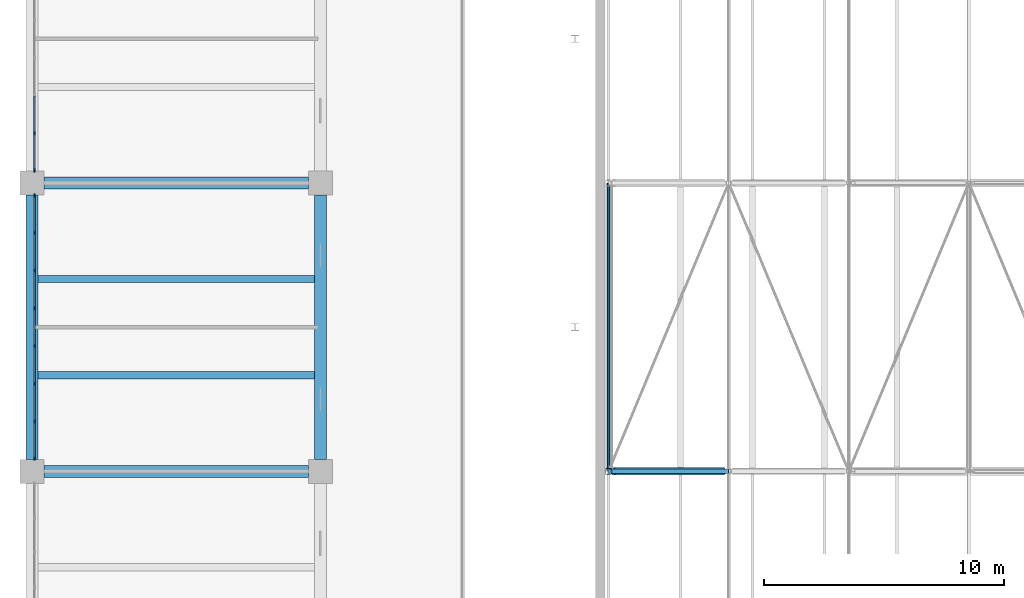
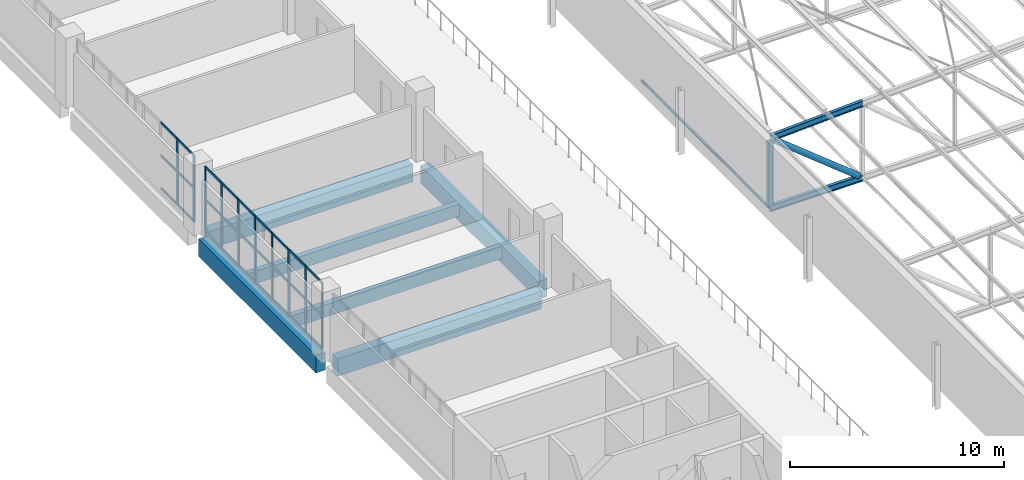
# One storey, part 90 of 156: 42 members, 6 beams, 2 elements without a shape of their own.
"""IFC4 building model written with IfcOpenShell, lengths in metres."""

from ifc_helpers import new_model, si_unit, direction, frame, origin, origin_2d, place, context, subcontext, project, spatial, rectangle, hollow_rectangle, hollow_circle, i_section, extrude, material, layer, layer_set, material_profile, profile_set, type_object, element, aggregate, save


model = new_model("IFC4")

# Units and contexts
model_context = context("Model", 3, precision=1e-05, world=origin(), true_north=direction((0.0, 1.0)))
body_context = subcontext(model_context, "Body", "Model", "MODEL_VIEW")
ifc_project = project(units=[si_unit("LENGTHUNIT", "METRE"), si_unit("AREAUNIT", "SQUARE_METRE"), si_unit("VOLUMEUNIT", "CUBIC_METRE"), si_unit("PLANEANGLEUNIT", "RADIAN"), si_unit("MASSUNIT", "GRAM", prefix="KILO")], contexts=[model_context])

# Site, building, storey
site_placement = place(None, origin())
site = spatial("IfcSite", under=ifc_project, at=site_placement, CompositionType="ELEMENT")
building_placement = place(site_placement, origin())
building = spatial("IfcBuilding", under=site, at=building_placement, Name="Lilac Gate Convention Centre", CompositionType="ELEMENT")
storey_placement = place(building_placement, frame((0.0, 0.0, 17.0)))
storey = spatial("IfcBuildingStorey", under=building, at=storey_placement, Name="L03", CompositionType="ELEMENT", Elevation=17.0)

# Member
ifc_material_1 = material(Name="Steel Q355B", Category="steel")
ifc_material_profile_1 = material_profile(ifc_material_1, hollow_circle(Radius=0.06982421875, WallThickness=0.0048828125, at=origin_2d()), Name="CHS139.7x5")
ifc_profile_set_1 = profile_set([ifc_material_profile_1], Name="Steel Q355B")
member_type_1 = type_object("IfcMemberType", Name="Bottom chord tie CHS139.7x5", PredefinedType="STRUT", material=ifc_profile_set_1)
member_1_placement = place(storey_placement, frame((30.0, 174.00341796875, 0.0), z_axis=(0.0, 1.0, 0.0), x_axis=(-1.0, 0.0, 0.0)))
element("IfcMember", 1, at=member_1_placement, inside=storey, type_object=member_type_1, Name="ST1 tie bay 13 node 1", PredefinedType="STRUT", context=body_context, shape_type="SweptSolid", body=[
    extrude(hollow_circle(Radius=0.06982421875, WallThickness=0.0048828125, at=origin_2d()), origin(), (0.0, 0.0, 1.0), 11.9931640625),
])

# Curtain wall, members
ifc_material_2 = material(Name="Aluminium framed double glazing", Category="aluminium")
ifc_layer = layer(ifc_material_2, 0.199951171875)
ifc_layer_set = layer_set([ifc_layer], Name="Aluminium framed double glazing")
curtain_wall_type = type_object("IfcCurtainWallType", Name="Unitised curtain wall 1500", PredefinedType="NOTDEFINED", material=ifc_layer_set)
curtain_wall_1_placement = place(storey_placement, origin())
curtain_wall_1 = element("IfcCurtainWall", 2, at=curtain_wall_1_placement, inside=storey, type_object=curtain_wall_type, Name="Curtain wall PW L03 2", PredefinedType="NOTDEFINED")
ifc_material_3 = material(Name="Aluminium alloy 6063", Category="aluminium")
ifc_material_profile_2 = material_profile(ifc_material_3, rectangle(XDim=0.06005859375, YDim=0.159912109375, at=origin_2d()), Name="Curtain wall mullion 60 x 160")
ifc_profile_set_2 = profile_set([ifc_material_profile_2], Name="Aluminium alloy 6063")
member_type_2 = type_object("IfcMemberType", Name="Curtain wall mullion 60 x 160", PredefinedType="MULLION", material=ifc_profile_set_2)
member_2_placement = place(storey_placement, frame((6.10009765625, 188.071533203125, 0.0), z_axis=(0.0, 0.0, 1.0), x_axis=(1.0, 0.0, 0.0)))
member_2 = element("IfcMember", 3, at=member_2_placement, type_object=member_type_2, Name="CW mullion 7", PredefinedType="MULLION", context=body_context, shape_type="SweptSolid", body=[
    extrude(rectangle(XDim=0.06005859375, YDim=0.159912109375, at=origin_2d()), origin(), (0.0, 0.0, 1.0), 3.800048828125),
])
member_3_placement = place(storey_placement, frame((6.10009765625, 186.530029296875, 0.0), z_axis=(0.0, 0.0, 1.0), x_axis=(1.0, 0.0, 0.0)))
member_3 = element("IfcMember", 4, at=member_3_placement, type_object=member_type_2, Name="CW mullion 8", PredefinedType="MULLION", context=body_context, shape_type="SweptSolid", body=[
    extrude(rectangle(XDim=0.06005859375, YDim=0.159912109375, at=origin_2d()), origin(), (0.0, 0.0, 1.0), 3.800048828125),
])

curtain_wall_2_placement = place(storey_placement, origin())
curtain_wall_2 = element("IfcCurtainWall", 5, at=curtain_wall_2_placement, inside=storey, type_object=curtain_wall_type, Name="Curtain wall PW L03 3", PredefinedType="NOTDEFINED")
member_4_placement = place(storey_placement, frame((6.10009765625, 185.469970703125, 0.0), z_axis=(0.0, 0.0, 1.0), x_axis=(1.0, 0.0, 0.0)))
member_4 = element("IfcMember", 6, at=member_4_placement, type_object=member_type_2, Name="CW mullion 1", PredefinedType="MULLION", context=body_context, shape_type="SweptSolid", body=[
    extrude(rectangle(XDim=0.06005859375, YDim=0.159912109375, at=origin_2d()), origin(), (0.0, 0.0, 1.0), 3.800048828125),
])
member_5_placement = place(storey_placement, frame((6.10009765625, 183.928466796875, 0.0), z_axis=(0.0, 0.0, 1.0), x_axis=(1.0, 0.0, 0.0)))
member_5 = element("IfcMember", 7, at=member_5_placement, type_object=member_type_2, Name="CW mullion 2", PredefinedType="MULLION", context=body_context, shape_type="SweptSolid", body=[
    extrude(rectangle(XDim=0.06005859375, YDim=0.159912109375, at=origin_2d()), origin(), (0.0, 0.0, 1.0), 3.800048828125),
])
member_6_placement = place(storey_placement, frame((6.10009765625, 182.357177734375, 0.0), z_axis=(0.0, 0.0, 1.0), x_axis=(1.0, 0.0, 0.0)))
member_6 = element("IfcMember", 8, at=member_6_placement, type_object=member_type_2, Name="CW mullion 3", PredefinedType="MULLION", context=body_context, shape_type="SweptSolid", body=[
    extrude(rectangle(XDim=0.06005859375, YDim=0.159912109375, at=origin_2d()), origin(), (0.0, 0.0, 1.0), 3.800048828125),
])
member_7_placement = place(storey_placement, frame((6.10009765625, 180.78564453125, 0.0), z_axis=(0.0, 0.0, 1.0), x_axis=(1.0, 0.0, 0.0)))
member_7 = element("IfcMember", 9, at=member_7_placement, type_object=member_type_2, Name="CW mullion 4", PredefinedType="MULLION", context=body_context, shape_type="SweptSolid", body=[
    extrude(rectangle(XDim=0.06005859375, YDim=0.159912109375, at=origin_2d()), origin(), (0.0, 0.0, 1.0), 3.800048828125),
])
member_8_placement = place(storey_placement, frame((6.10009765625, 179.21435546875, 0.0), z_axis=(0.0, 0.0, 1.0), x_axis=(1.0, 0.0, 0.0)))
member_8 = element("IfcMember", 10, at=member_8_placement, type_object=member_type_2, Name="CW mullion 5", PredefinedType="MULLION", context=body_context, shape_type="SweptSolid", body=[
    extrude(rectangle(XDim=0.06005859375, YDim=0.159912109375, at=origin_2d()), origin(), (0.0, 0.0, 1.0), 3.800048828125),
])
member_9_placement = place(storey_placement, frame((6.10009765625, 177.642822265625, 0.0), z_axis=(0.0, 0.0, 1.0), x_axis=(1.0, 0.0, 0.0)))
member_9 = element("IfcMember", 11, at=member_9_placement, type_object=member_type_2, Name="CW mullion 6", PredefinedType="MULLION", context=body_context, shape_type="SweptSolid", body=[
    extrude(rectangle(XDim=0.06005859375, YDim=0.159912109375, at=origin_2d()), origin(), (0.0, 0.0, 1.0), 3.800048828125),
])
member_10_placement = place(storey_placement, frame((6.10009765625, 176.071533203125, 0.0), z_axis=(0.0, 0.0, 1.0), x_axis=(1.0, 0.0, 0.0)))
member_10 = element("IfcMember", 12, at=member_10_placement, type_object=member_type_2, Name="CW mullion 7", PredefinedType="MULLION", context=body_context, shape_type="SweptSolid", body=[
    extrude(rectangle(XDim=0.06005859375, YDim=0.159912109375, at=origin_2d()), origin(), (0.0, 0.0, 1.0), 3.800048828125),
])
member_11_placement = place(storey_placement, frame((6.10009765625, 174.530029296875, 0.0), z_axis=(0.0, 0.0, 1.0), x_axis=(1.0, 0.0, 0.0)))
member_11 = element("IfcMember", 13, at=member_11_placement, type_object=member_type_2, Name="CW mullion 8", PredefinedType="MULLION", context=body_context, shape_type="SweptSolid", body=[
    extrude(rectangle(XDim=0.06005859375, YDim=0.159912109375, at=origin_2d()), origin(), (0.0, 0.0, 1.0), 3.800048828125),
])

# Member
ifc_material_profile_3 = material_profile(ifc_material_3, rectangle(XDim=0.06005859375, YDim=0.1201171875, at=origin_2d()), Name="Curtain wall transom 60 x 120")
ifc_profile_set_3 = profile_set([ifc_material_profile_3], Name="Aluminium alloy 6063")
member_type_3 = type_object("IfcMemberType", Name="Curtain wall transom 60 x 120", PredefinedType="USERDEFINED", material=ifc_profile_set_3)
member_12_placement = place(storey_placement, frame((6.10009765625, 189.61279296875, 0.030029296875), z_axis=(0.0, -1.0, 0.0), x_axis=(1.0, 0.0, 0.0)))
member_12 = element("IfcMember", 14, at=member_12_placement, type_object=member_type_3, Name="CW transom 6.1", ObjectType="TRANSOM", PredefinedType="USERDEFINED", context=body_context, shape_type="SweptSolid", body=[
    extrude(rectangle(XDim=0.06005859375, YDim=0.1201171875, at=origin_2d()), origin(), (0.0, 0.0, 1.0), 1.511474609375),
])

member_13_placement = place(storey_placement, frame((6.10009765625, 189.61279296875, 1.89990234375), z_axis=(0.0, -1.0, 0.0), x_axis=(1.0, 0.0, 0.0)))
member_13 = element("IfcMember", 15, at=member_13_placement, type_object=member_type_3, Name="CW transom 6.2", ObjectType="TRANSOM", PredefinedType="USERDEFINED", context=body_context, shape_type="SweptSolid", body=[
    extrude(rectangle(XDim=0.06005859375, YDim=0.1201171875, at=origin_2d()), origin(), (0.0, 0.0, 1.0), 1.511474609375),
])

member_14_placement = place(storey_placement, frame((6.10009765625, 189.61279296875, 3.77001953125), z_axis=(0.0, -1.0, 0.0), x_axis=(1.0, 0.0, 0.0)))
member_14 = element("IfcMember", 16, at=member_14_placement, type_object=member_type_3, Name="CW transom 6.3", ObjectType="TRANSOM", PredefinedType="USERDEFINED", context=body_context, shape_type="SweptSolid", body=[
    extrude(rectangle(XDim=0.06005859375, YDim=0.1201171875, at=origin_2d()), origin(), (0.0, 0.0, 1.0), 1.511474609375),
])

member_15_placement = place(storey_placement, frame((6.10009765625, 188.04150390625, 0.030029296875), z_axis=(0.0, -1.0, 0.0), x_axis=(1.0, 0.0, 0.0)))
member_15 = element("IfcMember", 17, at=member_15_placement, type_object=member_type_3, Name="CW transom 7.1", ObjectType="TRANSOM", PredefinedType="USERDEFINED", context=body_context, shape_type="SweptSolid", body=[
    extrude(rectangle(XDim=0.06005859375, YDim=0.1201171875, at=origin_2d()), origin(), (0.0, 0.0, 1.0), 1.4814453125),
])

member_16_placement = place(storey_placement, frame((6.10009765625, 188.04150390625, 1.89990234375), z_axis=(0.0, -1.0, 0.0), x_axis=(1.0, 0.0, 0.0)))
member_16 = element("IfcMember", 18, at=member_16_placement, type_object=member_type_3, Name="CW transom 7.2", ObjectType="TRANSOM", PredefinedType="USERDEFINED", context=body_context, shape_type="SweptSolid", body=[
    extrude(rectangle(XDim=0.06005859375, YDim=0.1201171875, at=origin_2d()), origin(), (0.0, 0.0, 1.0), 1.4814453125),
])

member_17_placement = place(storey_placement, frame((6.10009765625, 188.04150390625, 3.77001953125), z_axis=(0.0, -1.0, 0.0), x_axis=(1.0, 0.0, 0.0)))
member_17 = element("IfcMember", 19, at=member_17_placement, type_object=member_type_3, Name="CW transom 7.3", ObjectType="TRANSOM", PredefinedType="USERDEFINED", context=body_context, shape_type="SweptSolid", body=[
    extrude(rectangle(XDim=0.06005859375, YDim=0.1201171875, at=origin_2d()), origin(), (0.0, 0.0, 1.0), 1.4814453125),
])

aggregate(curtain_wall_1, [member_2, member_3, member_12, member_13, member_14, member_15, member_16, member_17])

member_18_placement = place(storey_placement, frame((6.10009765625, 185.43994140625, 0.030029296875), z_axis=(0.0, -1.0, 0.0), x_axis=(1.0, 0.0, 0.0)))
member_18 = element("IfcMember", 20, at=member_18_placement, type_object=member_type_3, Name="CW transom 1.1", ObjectType="TRANSOM", PredefinedType="USERDEFINED", context=body_context, shape_type="SweptSolid", body=[
    extrude(rectangle(XDim=0.06005859375, YDim=0.1201171875, at=origin_2d()), origin(), (0.0, 0.0, 1.0), 1.4814453125),
])

member_19_placement = place(storey_placement, frame((6.10009765625, 185.43994140625, 1.89990234375), z_axis=(0.0, -1.0, 0.0), x_axis=(1.0, 0.0, 0.0)))
member_19 = element("IfcMember", 21, at=member_19_placement, type_object=member_type_3, Name="CW transom 1.2", ObjectType="TRANSOM", PredefinedType="USERDEFINED", context=body_context, shape_type="SweptSolid", body=[
    extrude(rectangle(XDim=0.06005859375, YDim=0.1201171875, at=origin_2d()), origin(), (0.0, 0.0, 1.0), 1.4814453125),
])

member_20_placement = place(storey_placement, frame((6.10009765625, 185.43994140625, 3.77001953125), z_axis=(0.0, -1.0, 0.0), x_axis=(1.0, 0.0, 0.0)))
member_20 = element("IfcMember", 22, at=member_20_placement, type_object=member_type_3, Name="CW transom 1.3", ObjectType="TRANSOM", PredefinedType="USERDEFINED", context=body_context, shape_type="SweptSolid", body=[
    extrude(rectangle(XDim=0.06005859375, YDim=0.1201171875, at=origin_2d()), origin(), (0.0, 0.0, 1.0), 1.4814453125),
])

member_21_placement = place(storey_placement, frame((6.10009765625, 183.898681640625, 0.030029296875), z_axis=(0.0, -1.0, 0.0), x_axis=(1.0, 0.0, 0.0)))
member_21 = element("IfcMember", 23, at=member_21_placement, type_object=member_type_3, Name="CW transom 2.1", ObjectType="TRANSOM", PredefinedType="USERDEFINED", context=body_context, shape_type="SweptSolid", body=[
    extrude(rectangle(XDim=0.06005859375, YDim=0.1201171875, at=origin_2d()), origin(), (0.0, 0.0, 1.0), 1.511474609375),
])

member_22_placement = place(storey_placement, frame((6.10009765625, 183.898681640625, 1.89990234375), z_axis=(0.0, -1.0, 0.0), x_axis=(1.0, 0.0, 0.0)))
member_22 = element("IfcMember", 24, at=member_22_placement, type_object=member_type_3, Name="CW transom 2.2", ObjectType="TRANSOM", PredefinedType="USERDEFINED", context=body_context, shape_type="SweptSolid", body=[
    extrude(rectangle(XDim=0.06005859375, YDim=0.1201171875, at=origin_2d()), origin(), (0.0, 0.0, 1.0), 1.511474609375),
])

member_23_placement = place(storey_placement, frame((6.10009765625, 183.898681640625, 3.77001953125), z_axis=(0.0, -1.0, 0.0), x_axis=(1.0, 0.0, 0.0)))
member_23 = element("IfcMember", 25, at=member_23_placement, type_object=member_type_3, Name="CW transom 2.3", ObjectType="TRANSOM", PredefinedType="USERDEFINED", context=body_context, shape_type="SweptSolid", body=[
    extrude(rectangle(XDim=0.06005859375, YDim=0.1201171875, at=origin_2d()), origin(), (0.0, 0.0, 1.0), 1.511474609375),
])

member_24_placement = place(storey_placement, frame((6.10009765625, 182.3271484375, 0.030029296875), z_axis=(0.0, -1.0, 0.0), x_axis=(1.0, 0.0, 0.0)))
member_24 = element("IfcMember", 26, at=member_24_placement, type_object=member_type_3, Name="CW transom 3.1", ObjectType="TRANSOM", PredefinedType="USERDEFINED", context=body_context, shape_type="SweptSolid", body=[
    extrude(rectangle(XDim=0.06005859375, YDim=0.1201171875, at=origin_2d()), origin(), (0.0, 0.0, 1.0), 1.511474609375),
])

member_25_placement = place(storey_placement, frame((6.10009765625, 182.3271484375, 1.89990234375), z_axis=(0.0, -1.0, 0.0), x_axis=(1.0, 0.0, 0.0)))
member_25 = element("IfcMember", 27, at=member_25_placement, type_object=member_type_3, Name="CW transom 3.2", ObjectType="TRANSOM", PredefinedType="USERDEFINED", context=body_context, shape_type="SweptSolid", body=[
    extrude(rectangle(XDim=0.06005859375, YDim=0.1201171875, at=origin_2d()), origin(), (0.0, 0.0, 1.0), 1.511474609375),
])

member_26_placement = place(storey_placement, frame((6.10009765625, 182.3271484375, 3.77001953125), z_axis=(0.0, -1.0, 0.0), x_axis=(1.0, 0.0, 0.0)))
member_26 = element("IfcMember", 28, at=member_26_placement, type_object=member_type_3, Name="CW transom 3.3", ObjectType="TRANSOM", PredefinedType="USERDEFINED", context=body_context, shape_type="SweptSolid", body=[
    extrude(rectangle(XDim=0.06005859375, YDim=0.1201171875, at=origin_2d()), origin(), (0.0, 0.0, 1.0), 1.511474609375),
])

member_27_placement = place(storey_placement, frame((6.10009765625, 180.755615234375, 0.030029296875), z_axis=(0.0, -1.0, 0.0), x_axis=(1.0, 0.0, 0.0)))
member_27 = element("IfcMember", 29, at=member_27_placement, type_object=member_type_3, Name="CW transom 4.1", ObjectType="TRANSOM", PredefinedType="USERDEFINED", context=body_context, shape_type="SweptSolid", body=[
    extrude(rectangle(XDim=0.06005859375, YDim=0.1201171875, at=origin_2d()), origin(), (0.0, 0.0, 1.0), 1.51123046875),
])

member_28_placement = place(storey_placement, frame((6.10009765625, 180.755615234375, 1.89990234375), z_axis=(0.0, -1.0, 0.0), x_axis=(1.0, 0.0, 0.0)))
member_28 = element("IfcMember", 30, at=member_28_placement, type_object=member_type_3, Name="CW transom 4.2", ObjectType="TRANSOM", PredefinedType="USERDEFINED", context=body_context, shape_type="SweptSolid", body=[
    extrude(rectangle(XDim=0.06005859375, YDim=0.1201171875, at=origin_2d()), origin(), (0.0, 0.0, 1.0), 1.51123046875),
])

member_29_placement = place(storey_placement, frame((6.10009765625, 180.755615234375, 3.77001953125), z_axis=(0.0, -1.0, 0.0), x_axis=(1.0, 0.0, 0.0)))
member_29 = element("IfcMember", 31, at=member_29_placement, type_object=member_type_3, Name="CW transom 4.3", ObjectType="TRANSOM", PredefinedType="USERDEFINED", context=body_context, shape_type="SweptSolid", body=[
    extrude(rectangle(XDim=0.06005859375, YDim=0.1201171875, at=origin_2d()), origin(), (0.0, 0.0, 1.0), 1.51123046875),
])

member_30_placement = place(storey_placement, frame((6.10009765625, 179.184326171875, 0.030029296875), z_axis=(0.0, -1.0, 0.0), x_axis=(1.0, 0.0, 0.0)))
member_30 = element("IfcMember", 32, at=member_30_placement, type_object=member_type_3, Name="CW transom 5.1", ObjectType="TRANSOM", PredefinedType="USERDEFINED", context=body_context, shape_type="SweptSolid", body=[
    extrude(rectangle(XDim=0.06005859375, YDim=0.1201171875, at=origin_2d()), origin(), (0.0, 0.0, 1.0), 1.511474609375),
])

member_31_placement = place(storey_placement, frame((6.10009765625, 179.184326171875, 1.89990234375), z_axis=(0.0, -1.0, 0.0), x_axis=(1.0, 0.0, 0.0)))
member_31 = element("IfcMember", 33, at=member_31_placement, type_object=member_type_3, Name="CW transom 5.2", ObjectType="TRANSOM", PredefinedType="USERDEFINED", context=body_context, shape_type="SweptSolid", body=[
    extrude(rectangle(XDim=0.06005859375, YDim=0.1201171875, at=origin_2d()), origin(), (0.0, 0.0, 1.0), 1.511474609375),
])

member_32_placement = place(storey_placement, frame((6.10009765625, 179.184326171875, 3.77001953125), z_axis=(0.0, -1.0, 0.0), x_axis=(1.0, 0.0, 0.0)))
member_32 = element("IfcMember", 34, at=member_32_placement, type_object=member_type_3, Name="CW transom 5.3", ObjectType="TRANSOM", PredefinedType="USERDEFINED", context=body_context, shape_type="SweptSolid", body=[
    extrude(rectangle(XDim=0.06005859375, YDim=0.1201171875, at=origin_2d()), origin(), (0.0, 0.0, 1.0), 1.511474609375),
])

member_33_placement = place(storey_placement, frame((6.10009765625, 177.61279296875, 0.030029296875), z_axis=(0.0, -1.0, 0.0), x_axis=(1.0, 0.0, 0.0)))
member_33 = element("IfcMember", 35, at=member_33_placement, type_object=member_type_3, Name="CW transom 6.1", ObjectType="TRANSOM", PredefinedType="USERDEFINED", context=body_context, shape_type="SweptSolid", body=[
    extrude(rectangle(XDim=0.06005859375, YDim=0.1201171875, at=origin_2d()), origin(), (0.0, 0.0, 1.0), 1.511474609375),
])

member_34_placement = place(storey_placement, frame((6.10009765625, 177.61279296875, 1.89990234375), z_axis=(0.0, -1.0, 0.0), x_axis=(1.0, 0.0, 0.0)))
member_34 = element("IfcMember", 36, at=member_34_placement, type_object=member_type_3, Name="CW transom 6.2", ObjectType="TRANSOM", PredefinedType="USERDEFINED", context=body_context, shape_type="SweptSolid", body=[
    extrude(rectangle(XDim=0.06005859375, YDim=0.1201171875, at=origin_2d()), origin(), (0.0, 0.0, 1.0), 1.511474609375),
])

member_35_placement = place(storey_placement, frame((6.10009765625, 177.61279296875, 3.77001953125), z_axis=(0.0, -1.0, 0.0), x_axis=(1.0, 0.0, 0.0)))
member_35 = element("IfcMember", 37, at=member_35_placement, type_object=member_type_3, Name="CW transom 6.3", ObjectType="TRANSOM", PredefinedType="USERDEFINED", context=body_context, shape_type="SweptSolid", body=[
    extrude(rectangle(XDim=0.06005859375, YDim=0.1201171875, at=origin_2d()), origin(), (0.0, 0.0, 1.0), 1.511474609375),
])

member_36_placement = place(storey_placement, frame((6.10009765625, 176.04150390625, 0.030029296875), z_axis=(0.0, -1.0, 0.0), x_axis=(1.0, 0.0, 0.0)))
member_36 = element("IfcMember", 38, at=member_36_placement, type_object=member_type_3, Name="CW transom 7.1", ObjectType="TRANSOM", PredefinedType="USERDEFINED", context=body_context, shape_type="SweptSolid", body=[
    extrude(rectangle(XDim=0.06005859375, YDim=0.1201171875, at=origin_2d()), origin(), (0.0, 0.0, 1.0), 1.4814453125),
])

member_37_placement = place(storey_placement, frame((6.10009765625, 176.04150390625, 1.89990234375), z_axis=(0.0, -1.0, 0.0), x_axis=(1.0, 0.0, 0.0)))
member_37 = element("IfcMember", 39, at=member_37_placement, type_object=member_type_3, Name="CW transom 7.2", ObjectType="TRANSOM", PredefinedType="USERDEFINED", context=body_context, shape_type="SweptSolid", body=[
    extrude(rectangle(XDim=0.06005859375, YDim=0.1201171875, at=origin_2d()), origin(), (0.0, 0.0, 1.0), 1.4814453125),
])

member_38_placement = place(storey_placement, frame((6.10009765625, 176.04150390625, 3.77001953125), z_axis=(0.0, -1.0, 0.0), x_axis=(1.0, 0.0, 0.0)))
member_38 = element("IfcMember", 40, at=member_38_placement, type_object=member_type_3, Name="CW transom 7.3", ObjectType="TRANSOM", PredefinedType="USERDEFINED", context=body_context, shape_type="SweptSolid", body=[
    extrude(rectangle(XDim=0.06005859375, YDim=0.1201171875, at=origin_2d()), origin(), (0.0, 0.0, 1.0), 1.4814453125),
])

aggregate(curtain_wall_2, [member_4, member_5, member_6, member_7, member_8, member_9, member_10, member_11, member_18, member_19, member_20, member_21, member_22, member_23, member_24, member_25, member_26, member_27, member_28, member_29, member_30, member_31, member_32, member_33, member_34, member_35, member_36, member_37, member_38])

# Beams
ifc_material_4 = material(Name="Concrete C40", Category="concrete")
ifc_material_profile_4 = material_profile(ifc_material_4, rectangle(XDim=0.5, YDim=1.0, at=origin_2d()), Name="RC 500x1000")
ifc_profile_set_4 = profile_set([ifc_material_profile_4], Name="Concrete C40")
beam_type_1 = type_object("IfcBeamType", Name="Primary beam 500x1000 C40", PredefinedType="BEAM", material=ifc_profile_set_4)
for number, where, z_axis, x_axis, name in (
    (41, (6.5, 174.0, -0.75), (1.0, 0.0, 0.0), (0.0, 1.0, 0.0), "RB1 L03 1/N-2/N"),
    (42, (6.5, 186.0, -0.75), (1.0, 0.0, 0.0), (0.0, 1.0, 0.0), "RB1 L03 1/P-2/P"),
    (43, (6.0, 174.5, -0.75), (0.0, 1.0, 0.0), (-1.0, 0.0, 0.0), "RB1 L03 1/N-1/P"),
    (44, (18.0, 174.5, -0.75), (0.0, 1.0, 0.0), (-1.0, 0.0, 0.0), "RB1 L03 2/N-2/P"),
):
    element("IfcBeam", number, at=place(storey_placement, frame(where, z_axis=z_axis, x_axis=x_axis)), inside=storey, type_object=beam_type_1, Name=name, PredefinedType="BEAM", context=body_context, shape_type="SweptSolid", body=[
        extrude(rectangle(XDim=0.5, YDim=1.0, at=origin_2d()), origin(), (0.0, 0.0, 1.0), 11.0),
    ])
ifc_material_profile_5 = material_profile(ifc_material_4, rectangle(XDim=0.300048828125, YDim=0.699951171875, at=origin_2d()), Name="RC 300x700")
ifc_profile_set_5 = profile_set([ifc_material_profile_5], Name="Concrete C40")
beam_type_2 = type_object("IfcBeamType", Name="Secondary beam 300x700 C40", PredefinedType="BEAM", material=ifc_profile_set_5)
for number, where, z_axis, x_axis, name in (
    (45, (6.25, 178.0, -0.60009765625), (1.0, 0.0, 0.0), (0.0, 1.0, 0.0), "RB2 L03 bay 1/N"),
    (46, (6.25, 182.0, -0.60009765625), (1.0, 0.0, 0.0), (0.0, 1.0, 0.0), "RB2 L03 bay 1/N"),
):
    element("IfcBeam", number, at=place(storey_placement, frame(where, z_axis=z_axis, x_axis=x_axis)), inside=storey, type_object=beam_type_2, Name=name, PredefinedType="BEAM", context=body_context, shape_type="SweptSolid", body=[
        extrude(rectangle(XDim=0.300048828125, YDim=0.699951171875, at=origin_2d()), origin(), (0.0, 0.0, 1.0), 11.5),
    ])

# Members
ifc_material_profile_6 = material_profile(ifc_material_1, i_section(OverallWidth=0.175048828125, OverallDepth=0.35009765625, WebThickness=0.007080078125, FlangeThickness=0.010986328125, FilletRadius=0.012939453125, at=origin_2d()), Name="HN350x175x7x11")
ifc_profile_set_6 = profile_set([ifc_material_profile_6], Name="Steel Q355B")
member_type_4 = type_object("IfcMemberType", Name="Truss bottom chord HN350x175x7x11", PredefinedType="CHORD", material=ifc_profile_set_6)
member_39_placement = place(storey_placement, frame((30.0, 174.0, 0.0), z_axis=(1.0, 0.0, 0.0), x_axis=(0.0, 1.0, 0.0)))
element("IfcMember", 47, at=member_39_placement, inside=storey, type_object=member_type_4, Name="TB1 truss 13 bottom chord 1", PredefinedType="CHORD", context=body_context, shape_type="SweptSolid", body=[
    extrude(i_section(OverallWidth=0.175048828125, OverallDepth=0.35009765625, WebThickness=0.007080078125, FlangeThickness=0.010986328125, FilletRadius=0.012939453125, at=origin_2d()), origin(), (0.0, 0.0, 1.0), 5.0),
])
ifc_material_profile_7 = material_profile(ifc_material_1, hollow_circle(Radius=0.161865234375, WallThickness=0.011962890625, at=origin_2d()), Name="CHS323.9x12")
ifc_profile_set_7 = profile_set([ifc_material_profile_7], Name="Steel Q355B")
member_type_5 = type_object("IfcMemberType", Name="Truss diagonal CHS323.9x12", PredefinedType="BRACE", material=ifc_profile_set_7)
member_40_placement = place(storey_placement, frame((30.205322265625, 174.0, 3.835693359375), z_axis=(0.780876938611, 0.0, -0.624684885959), x_axis=(0.0, 1.0, 0.0)))
element("IfcMember", 48, at=member_40_placement, inside=storey, type_object=member_type_5, Name="TW1 truss 13 diagonal 1", PredefinedType="BRACE", context=body_context, shape_type="SweptSolid", body=[
    extrude(hollow_circle(Radius=0.161865234375, WallThickness=0.011962890625, at=origin_2d()), origin(), (0.0, 0.0, 1.0), 5.860107421875),
])
ifc_material_profile_8 = material_profile(ifc_material_1, i_section(OverallWidth=0.175048828125, OverallDepth=0.35009765625, WebThickness=0.007080078125, FlangeThickness=0.010986328125, FilletRadius=0.012939453125, at=origin_2d()), Name="HN350x175x7x11")
ifc_profile_set_8 = profile_set([ifc_material_profile_8], Name="Steel Q355B")
member_type_6 = type_object("IfcMemberType", Name="Truss top chord HN350x175x7x11", PredefinedType="CHORD", material=ifc_profile_set_8)
member_41_placement = place(storey_placement, frame((30.0, 174.0, 4.0), z_axis=(0.998752338878, 0.0, 0.049937616944), x_axis=(0.0, 1.0, 0.0)))
element("IfcMember", 49, at=member_41_placement, inside=storey, type_object=member_type_6, Name="TT1 truss 13 top chord 1", PredefinedType="CHORD", context=body_context, shape_type="SweptSolid", body=[
    extrude(i_section(OverallWidth=0.175048828125, OverallDepth=0.35009765625, WebThickness=0.007080078125, FlangeThickness=0.010986328125, FilletRadius=0.012939453125, at=origin_2d()), origin(), (0.0, 0.0, 1.0), 5.00634765625),
])
ifc_material_profile_9 = material_profile(ifc_material_1, hollow_rectangle(XDim=0.25, YDim=0.25, WallThickness=0.010009765625, InnerFilletRadius=0.014892578125, OuterFilletRadius=0.02490234375, at=origin_2d()), Name="SHS250x250x10")
ifc_profile_set_9 = profile_set([ifc_material_profile_9], Name="Steel Q355B")
member_type_7 = type_object("IfcMemberType", Name="Truss vertical SHS250x250x10", PredefinedType="STRUT", material=ifc_profile_set_9)
member_42_placement = place(storey_placement, frame((30.0, 174.0, 0.175048828125), z_axis=(0.0, 0.0, 1.0), x_axis=(1.0, 0.0, 0.0)))
element("IfcMember", 50, at=member_42_placement, inside=storey, type_object=member_type_7, Name="TV1 truss 13 vertical 1", PredefinedType="STRUT", context=body_context, shape_type="SweptSolid", body=[
    extrude(hollow_rectangle(XDim=0.25, YDim=0.25, WallThickness=0.010009765625, InnerFilletRadius=0.014892578125, OuterFilletRadius=0.02490234375, at=origin_2d()), origin(), (0.0, 0.0, 1.0), 3.649658203125),
])

save(model, "model.ifc")
